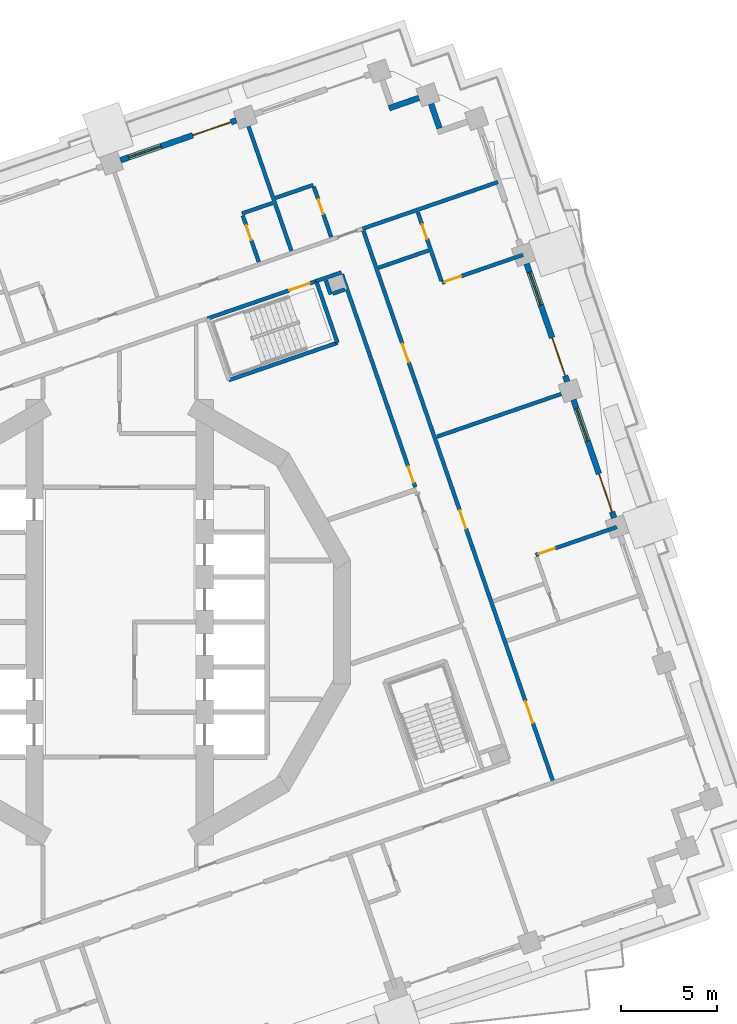
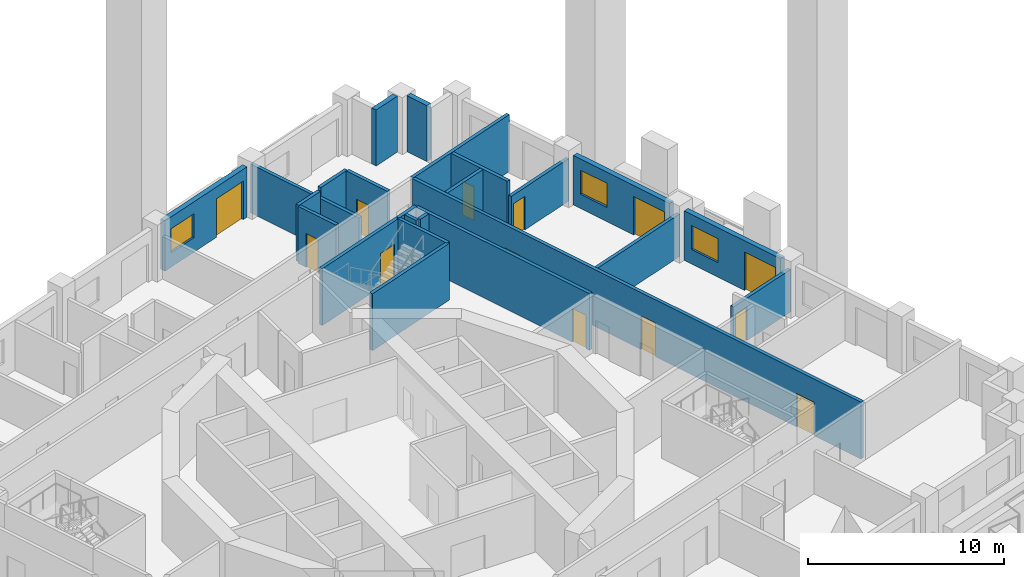
# One storey, part 8 of 18: 24 walls, 13 doors, 3 windows, 16 openings.
"""IFC4 building model written with IfcOpenShell, lengths in metres."""

from ifc_helpers import new_model, si_unit, direction, frame, frame_2d, origin, place, context, subcontext, project, spatial, rectangle, extrude, material, layer, layer_set, type_object, element, fill, save


model = new_model("IFC4")

# Units and contexts
model_context = context("Model", 3, precision=1e-05, world=origin(), true_north=direction((0.0, 1.0)))
body_context = subcontext(model_context, "Body", "Model", "MODEL_VIEW")
ifc_project = project(units=[si_unit("LENGTHUNIT", "METRE"), si_unit("AREAUNIT", "SQUARE_METRE"), si_unit("VOLUMEUNIT", "CUBIC_METRE"), si_unit("PLANEANGLEUNIT", "RADIAN"), si_unit("MASSUNIT", "GRAM", prefix="KILO")], contexts=[model_context])

# Site, building, storey
site_placement = place(None, origin())
site = spatial("IfcSite", under=ifc_project, at=site_placement, CompositionType="ELEMENT")
building_placement = place(site_placement, origin())
building = spatial("IfcBuilding", under=site, at=building_placement, Name="Cantera Rosa Tower", CompositionType="ELEMENT")
storey_placement = place(building_placement, frame((0.0, 0.0, 100.300048828125)))
storey = spatial("IfcBuildingStorey", under=building, at=storey_placement, Name="L19", CompositionType="ELEMENT", Elevation=100.300048828125)

# Wall
ifc_material_1 = material(Name="Gypsum board partition")
ifc_layer_1 = layer(ifc_material_1, 0.199951171875)
ifc_layer_set_1 = layer_set([ifc_layer_1], Name="CORRIDOR WALL 200 H3550")
wall_type_1 = type_object("IfcWallType", Name="CORRIDOR WALL 200 H3550", PredefinedType="PARTITIONING", material=ifc_layer_set_1)
wall_1_placement = place(storey_placement, frame((11.583984375, 18.2666015625, 0.0), z_axis=(0.0, 0.0, 1.0), x_axis=(-0.945503834334, -0.325610963052, 0.0)))
element("IfcWall", 1, at=wall_1_placement, inside=storey, type_object=wall_type_1, Name="CORRIDOR WALL L19-085", PredefinedType="PARTITIONING", context=body_context, shape_type="SweptSolid", body=[
    extrude(rectangle(XDim=1.38720703125, YDim=0.199951171875, at=frame_2d((0.693603515625, 0.0))), origin(), (0.0, 0.0, 1.0), 3.550048828125),
])

# Wall, opening, door
wall_2_placement = place(storey_placement, frame((15.4453125, 7.052734375, 0.0), z_axis=(0.0, 0.0, 1.0), x_axis=(-0.325560709279, 0.945521139147, 0.0)))
wall_2 = element("IfcWall", 2, at=wall_2_placement, inside=storey, type_object=wall_type_1, Name="CORRIDOR WALL L19-094", PredefinedType="PARTITIONING", context=body_context, shape_type="SweptSolid", body=[
    extrude(rectangle(XDim=11.760009765625, YDim=0.199951171875, at=frame_2d((5.8798828125, 0.0))), origin(), (0.0, 0.0, 1.0), 3.550048828125),
])
opening_1_placement = place(wall_2_placement, frame((0.242431640625, 0.0, 0.0)))
opening_1 = element("IfcOpeningElement", 3, at=opening_1_placement, cuts=wall_2, Name="Opening L19-004", PredefinedType="OPENING", context=body_context, shape_type="SweptSolid", body=[
    extrude(rectangle(XDim=0.89990234375, YDim=2.10009765625, at=frame_2d((0.449951171875, 1.050048828125))), frame((0.0, 0.10986328125, 0.0), z_axis=(0.0, -1.0, 0.0), x_axis=(1.0, 0.0, 0.0)), (0.0, 0.0, 1.0), 0.219970703125),
])
ifc_material_2 = material(Name="Timber door leaf", Category="wood")
door_type_1 = type_object("IfcDoorType", Name="SERVICE DOOR 900x2100", OperationType="NOTDEFINED", PredefinedType="DOOR", material=ifc_material_2)
door_1_placement = place(opening_1_placement, origin())
door_1 = element("IfcDoor", 4, at=door_1_placement, inside=storey, type_object=door_type_1, Name="DOOR L19-004", OperationType="NOTDEFINED", OverallHeight=2.10009765625, OverallWidth=0.89990234375, PredefinedType="DOOR", context=body_context, shape_type="SweptSolid", body=[
    extrude(rectangle(XDim=0.89990234375, YDim=2.10009765625, at=frame_2d((0.449951171875, 1.050048828125))), frame((0.0, 0.02490234375, 0.0), z_axis=(0.0, -1.0, 0.0), x_axis=(1.0, 0.0, 0.0)), (0.0, 0.0, 1.0), 0.050048828125),
])
fill(opening_1, door_1)

# Wall, openings, doors
wall_3_placement = place(storey_placement, frame((22.623291015625, -8.264892578125, 0.0), z_axis=(0.0, 0.0, 1.0), x_axis=(-0.325567861352, 0.945518676524, 0.0)))
wall_3 = element("IfcWall", 5, at=wall_3_placement, inside=storey, type_object=wall_type_1, Name="CORRIDOR WALL L19-110", PredefinedType="PARTITIONING", context=body_context, shape_type="SweptSolid", body=[
    extrude(rectangle(XDim=30.360107421875, YDim=0.199951171875, at=frame_2d((15.18017578125, 0.0))), origin(), (0.0, 0.0, 1.0), 3.550048828125),
])
opening_2_placement = place(wall_3_placement, frame((3.169921875, 0.0, 0.0)))
opening_2 = element("IfcOpeningElement", 6, at=opening_2_placement, cuts=wall_3, Name="Opening L19-017", PredefinedType="OPENING", context=body_context, shape_type="SweptSolid", body=[
    extrude(rectangle(XDim=1.199951171875, YDim=2.10009765625, at=frame_2d((0.60009765625, 1.050048828125))), frame((0.0, 0.10986328125, 0.0), z_axis=(0.0, -1.0, 0.0), x_axis=(1.0, 0.0, 0.0)), (0.0, 0.0, 1.0), 0.219970703125),
])
opening_3_placement = place(wall_3_placement, frame((13.89990234375, 0.0, 0.0)))
opening_3 = element("IfcOpeningElement", 7, at=opening_3_placement, cuts=wall_3, Name="Opening L19-018", PredefinedType="OPENING", context=body_context, shape_type="SweptSolid", body=[
    extrude(rectangle(XDim=1.0, YDim=2.10009765625, at=frame_2d((0.5, 1.050048828125))), frame((0.0, 0.10986328125, 0.0), z_axis=(0.0, -1.0, 0.0), x_axis=(1.0, 0.0, 0.0)), (0.0, 0.0, 1.0), 0.219970703125),
])
opening_4_placement = place(wall_3_placement, frame((23.110107421875, 0.0, 0.0)))
opening_4 = element("IfcOpeningElement", 8, at=opening_4_placement, cuts=wall_3, Name="Opening L19-021", PredefinedType="OPENING", context=body_context, shape_type="SweptSolid", body=[
    extrude(rectangle(XDim=1.0, YDim=2.10009765625, at=frame_2d((0.5, 1.050048828125))), frame((0.0, 0.10986328125, 0.0), z_axis=(0.0, -1.0, 0.0), x_axis=(1.0, 0.0, 0.0)), (0.0, 0.0, 1.0), 0.219970703125),
])
ifc_material_3 = material(Name="Timber door leaf", Category="wood")
door_type_2 = type_object("IfcDoorType", Name="ENTRANCE DOOR 1000x2100", OperationType="NOTDEFINED", PredefinedType="DOOR", material=ifc_material_3)
door_2_placement = place(opening_3_placement, origin())
door_2 = element("IfcDoor", 9, at=door_2_placement, inside=storey, type_object=door_type_2, Name="DOOR L19-018", OperationType="NOTDEFINED", OverallHeight=2.10009765625, OverallWidth=1.0, PredefinedType="DOOR", context=body_context, shape_type="SweptSolid", body=[
    extrude(rectangle(XDim=1.0, YDim=2.10009765625, at=frame_2d((0.5, 1.050048828125))), frame((0.0, 0.02490234375, 0.0), z_axis=(0.0, -1.0, 0.0), x_axis=(1.0, 0.0, 0.0)), (0.0, 0.0, 1.0), 0.050048828125),
])
fill(opening_3, door_2)
door_3_placement = place(opening_4_placement, origin())
door_3 = element("IfcDoor", 10, at=door_3_placement, inside=storey, type_object=door_type_2, Name="DOOR L19-021", OperationType="NOTDEFINED", OverallHeight=2.10009765625, OverallWidth=1.0, PredefinedType="DOOR", context=body_context, shape_type="SweptSolid", body=[
    extrude(rectangle(XDim=1.0, YDim=2.10009765625, at=frame_2d((0.5, 1.050048828125))), frame((0.0, 0.02490234375, 0.0), z_axis=(0.0, -1.0, 0.0), x_axis=(1.0, 0.0, 0.0)), (0.0, 0.0, 1.0), 0.050048828125),
])
fill(opening_4, door_3)
ifc_material_4 = material(Name="Timber door leaf", Category="wood")
door_type_3 = type_object("IfcDoorType", Name="ROOM DOOR 1200x2100", OperationType="NOTDEFINED", PredefinedType="DOOR", material=ifc_material_4)
door_4_placement = place(opening_2_placement, origin())
door_4 = element("IfcDoor", 11, at=door_4_placement, inside=storey, type_object=door_type_3, Name="DOOR L19-017", OperationType="NOTDEFINED", OverallHeight=2.10009765625, OverallWidth=1.199951171875, PredefinedType="DOOR", context=body_context, shape_type="SweptSolid", body=[
    extrude(rectangle(XDim=1.199951171875, YDim=2.10009765625, at=frame_2d((0.60009765625, 1.050048828125))), frame((0.0, 0.02490234375, 0.0), z_axis=(0.0, -1.0, 0.0), x_axis=(1.0, 0.0, 0.0)), (0.0, 0.0, 1.0), 0.050048828125),
])
fill(opening_2, door_4)

# Walls
ifc_material_5 = material(Name="Hollow clay masonry with cantera stone cladding", Category="masonry")
ifc_layer_2 = layer(ifc_material_5, 0.300048828125)
ifc_layer_set_2 = layer_set([ifc_layer_2], Name="EW-LOGGIA 300")
wall_type_2 = type_object("IfcWallType", Name="EW-LOGGIA 300", PredefinedType="SOLIDWALL", material=ifc_layer_set_2)
wall_4_placement = place(storey_placement, frame((16.7119140625, 25.79638671875, 0.0), z_axis=(0.0, 0.0, 1.0), x_axis=(-0.325544748006, 0.945526634763, 0.0)))
element("IfcWall", 12, at=wall_4_placement, inside=storey, type_object=wall_type_2, Name="EN-L19-W06b", PredefinedType="SOLIDWALL", context=body_context, shape_type="SweptSolid", body=[
    extrude(rectangle(XDim=1.349853515625, YDim=0.300048828125, at=frame_2d((0.6748046875, 0.0))), origin(), (0.0, 0.0, 1.0), 3.5),
])
wall_5_placement = place(storey_placement, frame((15.636962890625, 27.3828125, 0.0), z_axis=(0.0, 0.0, 1.0), x_axis=(-0.945484566827, -0.325666906351, 0.0)))
element("IfcWall", 13, at=wall_5_placement, inside=storey, type_object=wall_type_2, Name="EN-L19-W07a", PredefinedType="SOLIDWALL", context=body_context, shape_type="SweptSolid", body=[
    extrude(rectangle(XDim=1.64990234375, YDim=0.300048828125, at=frame_2d((0.824951171875, 0.0))), origin(), (0.0, 0.0, 1.0), 3.5),
])

# Wall, openings, window, door
ifc_material_6 = material(Name="Hollow clay masonry with cantera stone cladding", Category="masonry")
ifc_layer_3 = layer(ifc_material_6, 0.300048828125)
ifc_layer_set_3 = layer_set([ifc_layer_3], Name="EW-LOGGIA 300 H3090")
wall_type_3 = type_object("IfcWallType", Name="EW-LOGGIA 300 H3090", PredefinedType="SOLIDWALL", material=ifc_layer_set_3)
wall_6_placement = place(storey_placement, frame((25.833984375, 5.447509765625, 0.0), z_axis=(0.0, 0.0, 1.0), x_axis=(-0.325580990241, 0.945514155787, 0.0)))
wall_6 = element("IfcWall", 14, at=wall_6_placement, inside=storey, type_object=wall_type_3, Name="EN-L19-W03", PredefinedType="SOLIDWALL", context=body_context, shape_type="SweptSolid", body=[
    extrude(rectangle(XDim=6.52001953125, YDim=0.300048828125, at=frame_2d((3.260009765625, 0.0))), origin(), (0.0, 0.0, 1.0), 3.08984375),
])
opening_5_placement = place(wall_6_placement, frame((0.330078125, 0.0, 0.0)))
opening_5 = element("IfcOpeningElement", 15, at=opening_5_placement, cuts=wall_6, Name="Opening L19-TD05", PredefinedType="OPENING", context=body_context, shape_type="SweptSolid", body=[
    extrude(rectangle(XDim=2.10009765625, YDim=2.39990234375, at=frame_2d((1.050048828125, 1.199951171875))), frame((0.0, 0.159912109375, 0.0), z_axis=(0.0, -1.0, 0.0), x_axis=(1.0, 0.0, 0.0)), (0.0, 0.0, 1.0), 0.320068359375),
])
opening_6_placement = place(wall_6_placement, frame((4.239990234375, 0.0, 0.89990234375)))
opening_6 = element("IfcOpeningElement", 16, at=opening_6_placement, cuts=wall_6, Name="Opening L19-W06", PredefinedType="OPENING", context=body_context, shape_type="SweptSolid", body=[
    extrude(rectangle(XDim=1.800048828125, YDim=1.5, at=frame_2d((0.89990234375, 0.75))), frame((0.0, 0.159912109375, 0.0), z_axis=(0.0, -1.0, 0.0), x_axis=(1.0, 0.0, 0.0)), (0.0, 0.0, 1.0), 0.320068359375),
])
ifc_material_7 = material(Name="Aluminium frame with clear glass", Category="aluminium")
window_type = type_object("IfcWindowType", Name="Hotel room window 1800x1500", PartitioningType="DOUBLE_PANEL_VERTICAL", PredefinedType="WINDOW", material=ifc_material_7)
window_1_placement = place(opening_6_placement, origin())
window_1 = element("IfcWindow", 17, at=window_1_placement, inside=storey, type_object=window_type, Name="WINDOW L19-W06", OverallHeight=1.5, OverallWidth=1.800048828125, PartitioningType="SINGLE_PANEL", PredefinedType="WINDOW", context=body_context, shape_type="SweptSolid", body=[
    extrude(rectangle(XDim=1.800048828125, YDim=1.5, at=frame_2d((0.89990234375, 0.75))), frame((0.0, 0.030029296875, 0.0), z_axis=(0.0, -1.0, 0.0), x_axis=(1.0, 0.0, 0.0)), (0.0, 0.0, 1.0), 0.06005859375),
])
fill(opening_6, window_1)
ifc_material_8 = material(Name="Aluminium frame with clear glass", Category="aluminium")
door_type_4 = type_object("IfcDoorType", Name="TD-H 2100x2400", OperationType="NOTDEFINED", PredefinedType="DOOR", material=ifc_material_8)
door_5_placement = place(opening_5_placement, origin())
door_5 = element("IfcDoor", 18, at=door_5_placement, inside=storey, type_object=door_type_4, Name="LOGGIA DOOR L19-TD05", OperationType="SLIDING_TO_LEFT", OverallHeight=2.39990234375, OverallWidth=2.10009765625, PredefinedType="DOOR", context=body_context, shape_type="SweptSolid", body=[
    extrude(rectangle(XDim=2.10009765625, YDim=2.39990234375, at=frame_2d((1.050048828125, 1.199951171875))), frame((0.0, 0.02490234375, 0.0), z_axis=(0.0, -1.0, 0.0), x_axis=(1.0, 0.0, 0.0)), (0.0, 0.0, 1.0), 0.050048828125),
])
fill(opening_5, door_5)

wall_7_placement = place(storey_placement, frame((23.3857421875, 12.557861328125, 0.0), z_axis=(0.0, 0.0, 1.0), x_axis=(-0.325580990241, 0.945514155787, 0.0)))
wall_7 = element("IfcWall", 19, at=wall_7_placement, inside=storey, type_object=wall_type_3, Name="EN-L19-W04", PredefinedType="SOLIDWALL", context=body_context, shape_type="SweptSolid", body=[
    extrude(rectangle(XDim=6.52001953125, YDim=0.300048828125, at=frame_2d((3.260009765625, 0.0))), origin(), (0.0, 0.0, 1.0), 3.08984375),
])
opening_7_placement = place(wall_7_placement, frame((0.330078125, 0.0, 0.0)))
opening_7 = element("IfcOpeningElement", 20, at=opening_7_placement, cuts=wall_7, Name="Opening L19-TD07", PredefinedType="OPENING", context=body_context, shape_type="SweptSolid", body=[
    extrude(rectangle(XDim=2.10009765625, YDim=2.39990234375, at=frame_2d((1.050048828125, 1.199951171875))), frame((0.0, 0.159912109375, 0.0), z_axis=(0.0, -1.0, 0.0), x_axis=(1.0, 0.0, 0.0)), (0.0, 0.0, 1.0), 0.320068359375),
])
opening_8_placement = place(wall_7_placement, frame((4.239990234375, 0.0, 0.89990234375)))
opening_8 = element("IfcOpeningElement", 21, at=opening_8_placement, cuts=wall_7, Name="Opening L19-W08", PredefinedType="OPENING", context=body_context, shape_type="SweptSolid", body=[
    extrude(rectangle(XDim=1.800048828125, YDim=1.5, at=frame_2d((0.89990234375, 0.75))), frame((0.0, 0.159912109375, 0.0), z_axis=(0.0, -1.0, 0.0), x_axis=(1.0, 0.0, 0.0)), (0.0, 0.0, 1.0), 0.320068359375),
])
window_2_placement = place(opening_8_placement, origin())
window_2 = element("IfcWindow", 22, at=window_2_placement, inside=storey, type_object=window_type, Name="WINDOW L19-W08", OverallHeight=1.5, OverallWidth=1.800048828125, PartitioningType="SINGLE_PANEL", PredefinedType="WINDOW", context=body_context, shape_type="SweptSolid", body=[
    extrude(rectangle(XDim=1.800048828125, YDim=1.5, at=frame_2d((0.89990234375, 0.75))), frame((0.0, 0.030029296875, 0.0), z_axis=(0.0, -1.0, 0.0), x_axis=(1.0, 0.0, 0.0)), (0.0, 0.0, 1.0), 0.06005859375),
])
fill(opening_8, window_2)
door_6_placement = place(opening_7_placement, origin())
door_6 = element("IfcDoor", 23, at=door_6_placement, inside=storey, type_object=door_type_4, Name="LOGGIA DOOR L19-TD07", OperationType="SLIDING_TO_LEFT", OverallHeight=2.39990234375, OverallWidth=2.10009765625, PredefinedType="DOOR", context=body_context, shape_type="SweptSolid", body=[
    extrude(rectangle(XDim=2.10009765625, YDim=2.39990234375, at=frame_2d((1.050048828125, 1.199951171875))), frame((0.0, 0.02490234375, 0.0), z_axis=(0.0, -1.0, 0.0), x_axis=(1.0, 0.0, 0.0)), (0.0, 0.0, 1.0), 0.050048828125),
])
fill(opening_7, door_6)

ifc_material_9 = material(Name="Hollow clay masonry with cantera stone cladding", Category="masonry")
ifc_layer_4 = layer(ifc_material_9, 0.300048828125)
ifc_layer_set_4 = layer_set([ifc_layer_4], Name="EW-LOGGIA 300 H3140")
wall_type_4 = type_object("IfcWallType", Name="EW-LOGGIA 300 H3140", PredefinedType="SOLIDWALL", material=ifc_layer_set_4)
wall_8_placement = place(storey_placement, frame((6.097900390625, 26.21337890625, 0.0), z_axis=(0.0, 0.0, 1.0), x_axis=(-0.945524496524, -0.325550958337, 0.0)))
wall_8 = element("IfcWall", 24, at=wall_8_placement, inside=storey, type_object=wall_type_4, Name="EN-L19-W09", PredefinedType="SOLIDWALL", context=body_context, shape_type="SweptSolid", body=[
    extrude(rectangle(XDim=6.39990234375, YDim=0.300048828125, at=frame_2d((3.199951171875, 0.0))), origin(), (0.0, 0.0, 1.0), 3.139892578125),
])
opening_9_placement = place(wall_8_placement, frame((0.300048828125, 0.0, 0.0)))
opening_9 = element("IfcOpeningElement", 25, at=opening_9_placement, cuts=wall_8, Name="Opening L19-TD13", PredefinedType="OPENING", context=body_context, shape_type="SweptSolid", body=[
    extrude(rectangle(XDim=2.10009765625, YDim=2.39990234375, at=frame_2d((1.050048828125, 1.199951171875))), frame((0.0, 0.159912109375, 0.0), z_axis=(0.0, -1.0, 0.0), x_axis=(1.0, 0.0, 0.0)), (0.0, 0.0, 1.0), 0.320068359375),
])
opening_10_placement = place(wall_8_placement, frame((4.14990234375, 0.0, 0.89990234375)))
opening_10 = element("IfcOpeningElement", 26, at=opening_10_placement, cuts=wall_8, Name="Opening L19-W14", PredefinedType="OPENING", context=body_context, shape_type="SweptSolid", body=[
    extrude(rectangle(XDim=1.800048828125, YDim=1.5, at=frame_2d((0.89990234375, 0.75))), frame((0.0, 0.159912109375, 0.0), z_axis=(0.0, -1.0, 0.0), x_axis=(1.0, 0.0, 0.0)), (0.0, 0.0, 1.0), 0.320068359375),
])
window_3_placement = place(opening_10_placement, origin())
window_3 = element("IfcWindow", 27, at=window_3_placement, inside=storey, type_object=window_type, Name="WINDOW L19-W14", OverallHeight=1.5, OverallWidth=1.800048828125, PartitioningType="SINGLE_PANEL", PredefinedType="WINDOW", context=body_context, shape_type="SweptSolid", body=[
    extrude(rectangle(XDim=1.800048828125, YDim=1.5, at=frame_2d((0.89990234375, 0.75))), frame((0.0, 0.030029296875, 0.0), z_axis=(0.0, -1.0, 0.0), x_axis=(1.0, 0.0, 0.0)), (0.0, 0.0, 1.0), 0.06005859375),
])
fill(opening_10, window_3)
door_7_placement = place(opening_9_placement, origin())
door_7 = element("IfcDoor", 28, at=door_7_placement, inside=storey, type_object=door_type_4, Name="LOGGIA DOOR L19-TD13", OperationType="SLIDING_TO_LEFT", OverallHeight=2.39990234375, OverallWidth=2.10009765625, PredefinedType="DOOR", context=body_context, shape_type="SweptSolid", body=[
    extrude(rectangle(XDim=2.10009765625, YDim=2.39990234375, at=frame_2d((1.050048828125, 1.199951171875))), frame((0.0, 0.02490234375, 0.0), z_axis=(0.0, -1.0, 0.0), x_axis=(1.0, 0.0, 0.0)), (0.0, 0.0, 1.0), 0.050048828125),
])
fill(opening_9, door_7)

# Wall, opening, door
ifc_material_10 = material(Name="Gypsum board partition")
ifc_layer_5 = layer(ifc_material_10, 0.199951171875)
ifc_layer_set_5 = layer_set([ifc_layer_5], Name="PARTITION 200 H2650")
wall_type_5 = type_object("IfcWallType", Name="PARTITION 200 H2650", PredefinedType="PARTITIONING", material=ifc_layer_set_5)
wall_9_placement = place(storey_placement, frame((21.07177734375, 19.185546875, 0.0), z_axis=(0.0, 0.0, 1.0), x_axis=(-0.945518569568, -0.325568171973, 0.0)))
wall_9 = element("IfcWall", 29, at=wall_9_placement, inside=storey, type_object=wall_type_5, Name="PARTITION L19-108", PredefinedType="PARTITIONING", context=body_context, shape_type="SweptSolid", body=[
    extrude(rectangle(XDim=4.47021484375, YDim=0.199951171875, at=frame_2d((2.235107421875, 0.0))), origin(), (0.0, 0.0, 1.0), 2.64990234375),
])
opening_11_placement = place(wall_9_placement, frame((3.419921875, 0.0, 0.0)))
opening_11 = element("IfcOpeningElement", 30, at=opening_11_placement, cuts=wall_9, Name="Opening L19-022", PredefinedType="OPENING", context=body_context, shape_type="SweptSolid", body=[
    extrude(rectangle(XDim=0.89990234375, YDim=2.10009765625, at=frame_2d((0.449951171875, 1.050048828125))), frame((0.0, 0.10986328125, 0.0), z_axis=(0.0, -1.0, 0.0), x_axis=(1.0, 0.0, 0.0)), (0.0, 0.0, 1.0), 0.219970703125),
])
ifc_material_11 = material(Name="Timber door leaf", Category="wood")
door_type_5 = type_object("IfcDoorType", Name="ROOM DOOR 900x2100", OperationType="NOTDEFINED", PredefinedType="DOOR", material=ifc_material_11)
door_8_placement = place(opening_11_placement, origin())
door_8 = element("IfcDoor", 31, at=door_8_placement, inside=storey, type_object=door_type_5, Name="DOOR L19-022", OperationType="NOTDEFINED", OverallHeight=2.10009765625, OverallWidth=0.89990234375, PredefinedType="DOOR", context=body_context, shape_type="SweptSolid", body=[
    extrude(rectangle(XDim=0.89990234375, YDim=2.10009765625, at=frame_2d((0.449951171875, 1.050048828125))), frame((0.0, 0.02490234375, 0.0), z_axis=(0.0, -1.0, 0.0), x_axis=(1.0, 0.0, 0.0)), (0.0, 0.0, 1.0), 0.050048828125),
])
fill(opening_11, door_8)

wall_10_placement = place(storey_placement, frame((21.741943359375, 3.509765625, 0.0), z_axis=(0.0, 0.0, 1.0), x_axis=(0.945518569568, 0.325568171973, 0.0)))
wall_10 = element("IfcWall", 32, at=wall_10_placement, inside=storey, type_object=wall_type_5, Name="PARTITION L19-109", PredefinedType="PARTITIONING", context=body_context, shape_type="SweptSolid", body=[
    extrude(rectangle(XDim=4.47021484375, YDim=0.199951171875, at=frame_2d((2.235107421875, 0.0))), origin(), (0.0, 0.0, 1.0), 2.64990234375),
])
opening_12_placement = place(wall_10_placement, frame((0.14990234375, 0.0, 0.0)))
opening_12 = element("IfcOpeningElement", 33, at=opening_12_placement, cuts=wall_10, Name="Opening L19-019", PredefinedType="OPENING", context=body_context, shape_type="SweptSolid", body=[
    extrude(rectangle(XDim=0.89990234375, YDim=2.10009765625, at=frame_2d((0.449951171875, 1.050048828125))), frame((0.0, 0.10986328125, 0.0), z_axis=(0.0, -1.0, 0.0), x_axis=(1.0, 0.0, 0.0)), (0.0, 0.0, 1.0), 0.219970703125),
])
door_9_placement = place(opening_12_placement, origin())
door_9 = element("IfcDoor", 34, at=door_9_placement, inside=storey, type_object=door_type_5, Name="DOOR L19-019", OperationType="NOTDEFINED", OverallHeight=2.10009765625, OverallWidth=0.89990234375, PredefinedType="DOOR", context=body_context, shape_type="SweptSolid", body=[
    extrude(rectangle(XDim=0.89990234375, YDim=2.10009765625, at=frame_2d((0.449951171875, 1.050048828125))), frame((0.0, 0.02490234375, 0.0), z_axis=(0.0, -1.0, 0.0), x_axis=(1.0, 0.0, 0.0)), (0.0, 0.0, 1.0), 0.050048828125),
])
fill(opening_12, door_9)

# Wall
ifc_material_12 = material(Name="Gypsum board partition")
ifc_layer_6 = layer(ifc_material_12, 0.199951171875)
ifc_layer_set_6 = layer_set([ifc_layer_6], Name="PARTITION 200 H3550")
wall_type_6 = type_object("IfcWallType", Name="PARTITION 200 H3550", PredefinedType="PARTITIONING", material=ifc_layer_set_6)
wall_11_placement = place(storey_placement, frame((6.39892578125, 21.34619140625, 0.0), z_axis=(0.0, 0.0, 1.0), x_axis=(0.945482578037, 0.3256726802, 0.0)))
element("IfcWall", 35, at=wall_11_placement, inside=storey, type_object=wall_type_6, Name="PARTITION L19-070", PredefinedType="PARTITIONING", context=body_context, shape_type="SweptSolid", body=[
    extrude(rectangle(XDim=1.679931640625, YDim=0.199951171875, at=frame_2d((0.83984375, 0.0))), origin(), (0.0, 0.0, 1.0), 3.550048828125),
])

# Wall, opening, door
wall_12_placement = place(storey_placement, frame((7.271484375, 18.812255859375, 0.0), z_axis=(0.0, 0.0, 1.0), x_axis=(-0.325567448058, 0.945518818832, 0.0)))
wall_12 = element("IfcWall", 36, at=wall_12_placement, inside=storey, type_object=wall_type_6, Name="PARTITION L19-072", PredefinedType="PARTITIONING", context=body_context, shape_type="SweptSolid", body=[
    extrude(rectangle(XDim=2.56005859375, YDim=0.199951171875, at=frame_2d((1.280029296875, 0.0))), origin(), (0.0, 0.0, 1.0), 3.550048828125),
])
opening_13_placement = place(wall_12_placement, frame((1.216064453125, 0.0, 0.0)))
opening_13 = element("IfcOpeningElement", 37, at=opening_13_placement, cuts=wall_12, Name="Opening L19-025", PredefinedType="OPENING", context=body_context, shape_type="SweptSolid", body=[
    extrude(rectangle(XDim=0.800048828125, YDim=2.10009765625, at=frame_2d((0.39990234375, 1.050048828125))), frame((0.0, 0.10986328125, 0.0), z_axis=(0.0, -1.0, 0.0), x_axis=(1.0, 0.0, 0.0)), (0.0, 0.0, 1.0), 0.219970703125),
])
ifc_material_13 = material(Name="Timber door leaf", Category="wood")
door_type_6 = type_object("IfcDoorType", Name="BATHROOM DOOR 800x2100", OperationType="NOTDEFINED", PredefinedType="DOOR", material=ifc_material_13)
door_10_placement = place(opening_13_placement, origin())
door_10 = element("IfcDoor", 38, at=door_10_placement, inside=storey, type_object=door_type_6, Name="DOOR L19-025", OperationType="NOTDEFINED", OverallHeight=2.10009765625, OverallWidth=0.800048828125, PredefinedType="DOOR", context=body_context, shape_type="SweptSolid", body=[
    extrude(rectangle(XDim=0.800048828125, YDim=2.10009765625, at=frame_2d((0.39990234375, 1.050048828125))), frame((0.0, 0.02490234375, 0.0), z_axis=(0.0, -1.0, 0.0), x_axis=(1.0, 0.0, 0.0)), (0.0, 0.0, 1.0), 0.050048828125),
])
fill(opening_13, door_10)

# Wall
wall_13_placement = place(storey_placement, frame((8.149169921875, 22.160400390625, 0.0), z_axis=(0.0, 0.0, 1.0), x_axis=(0.94551508012, 0.32557830589, 0.0)))
element("IfcWall", 39, at=wall_13_placement, inside=storey, type_object=wall_type_6, Name="PARTITION L19-080", PredefinedType="PARTITIONING", context=body_context, shape_type="SweptSolid", body=[
    extrude(rectangle(XDim=2.080078125, YDim=0.199951171875, at=frame_2d((1.0400390625, 0.0))), origin(), (0.0, 0.0, 1.0), 3.550048828125),
])

# Wall, opening, door
wall_14_placement = place(storey_placement, frame((10.1484375, 22.7431640625, 0.0), z_axis=(0.0, 0.0, 1.0), x_axis=(0.325617188453, -0.945501690418, 0.0)))
wall_14 = element("IfcWall", 40, at=wall_14_placement, inside=storey, type_object=wall_type_6, Name="PARTITION L19-081", PredefinedType="PARTITIONING", context=body_context, shape_type="SweptSolid", body=[
    extrude(rectangle(XDim=2.7802734375, YDim=0.199951171875, at=frame_2d((1.39013671875, 0.0))), origin(), (0.0, 0.0, 1.0), 3.550048828125),
])
opening_14_placement = place(wall_14_placement, frame((0.699951171875, 0.0, 0.0)))
opening_14 = element("IfcOpeningElement", 41, at=opening_14_placement, cuts=wall_14, Name="Opening L19-034", PredefinedType="OPENING", context=body_context, shape_type="SweptSolid", body=[
    extrude(rectangle(XDim=0.800048828125, YDim=2.10009765625, at=frame_2d((0.39990234375, 1.050048828125))), frame((0.0, 0.10986328125, 0.0), z_axis=(0.0, -1.0, 0.0), x_axis=(1.0, 0.0, 0.0)), (0.0, 0.0, 1.0), 0.219970703125),
])
door_11_placement = place(opening_14_placement, origin())
door_11 = element("IfcDoor", 42, at=door_11_placement, inside=storey, type_object=door_type_6, Name="DOOR L19-034", OperationType="NOTDEFINED", OverallHeight=2.10009765625, OverallWidth=0.800048828125, PredefinedType="DOOR", context=body_context, shape_type="SweptSolid", body=[
    extrude(rectangle(XDim=0.800048828125, YDim=2.10009765625, at=frame_2d((0.39990234375, 1.050048828125))), frame((0.0, 0.02490234375, 0.0), z_axis=(0.0, -1.0, 0.0), x_axis=(1.0, 0.0, 0.0)), (0.0, 0.0, 1.0), 0.050048828125),
])
fill(opening_14, door_11)

# Walls
wall_15_placement = place(storey_placement, frame((10.772216796875, 17.860107421875, 0.0), z_axis=(0.0, 0.0, 1.0), x_axis=(0.325508352099, -0.945539165087, 0.0)))
element("IfcWall", 43, at=wall_15_placement, inside=storey, type_object=wall_type_6, Name="PARTITION L19-082", PredefinedType="PARTITIONING", context=body_context, shape_type="SweptSolid", body=[
    extrude(rectangle(XDim=0.780029296875, YDim=0.199951171875, at=frame_2d((0.39013671875, 0.0))), origin(), (0.0, 0.0, 1.0), 3.550048828125),
])
wall_16_placement = place(storey_placement, frame((11.1396484375, 17.16162109375, 0.0), z_axis=(0.0, 0.0, 1.0), x_axis=(0.945416211277, 0.32586529035, 0.0)))
element("IfcWall", 44, at=wall_16_placement, inside=storey, type_object=wall_type_6, Name="PARTITION L19-083", PredefinedType="PARTITIONING", context=body_context, shape_type="SweptSolid", body=[
    extrude(rectangle(XDim=0.66015625, YDim=0.199951171875, at=frame_2d((0.330078125, 0.0))), origin(), (0.0, 0.0, 1.0), 3.550048828125),
])
wall_17_placement = place(storey_placement, frame((16.139404296875, 19.412109375, 0.0), z_axis=(0.0, 0.0, 1.0), x_axis=(-0.945505446379, -0.325606281984, 0.0)))
element("IfcWall", 45, at=wall_17_placement, inside=storey, type_object=wall_type_6, Name="PARTITION L19-096", PredefinedType="PARTITIONING", context=body_context, shape_type="SweptSolid", body=[
    extrude(rectangle(XDim=2.760009765625, YDim=0.199951171875, at=frame_2d((1.3798828125, 0.0))), origin(), (0.0, 0.0, 1.0), 3.550048828125),
])

# Wall, opening, door
wall_18_placement = place(storey_placement, frame((16.812744140625, 17.82470703125, 0.0), z_axis=(0.0, 0.0, 1.0), x_axis=(-0.325541188315, 0.945527860357, 0.0)))
wall_18 = element("IfcWall", 46, at=wall_18_placement, inside=storey, type_object=wall_type_6, Name="PARTITION L19-098", PredefinedType="PARTITIONING", context=body_context, shape_type="SweptSolid", body=[
    extrude(rectangle(XDim=3.800048828125, YDim=0.199951171875, at=frame_2d((1.89990234375, 0.0))), origin(), (0.0, 0.0, 1.0), 3.550048828125),
])
opening_15_placement = place(wall_18_placement, frame((2.31005859375, 0.0, 0.0)))
opening_15 = element("IfcOpeningElement", 47, at=opening_15_placement, cuts=wall_18, Name="Opening L19-023", PredefinedType="OPENING", context=body_context, shape_type="SweptSolid", body=[
    extrude(rectangle(XDim=0.800048828125, YDim=2.10009765625, at=frame_2d((0.39990234375, 1.050048828125))), frame((0.0, 0.10986328125, 0.0), z_axis=(0.0, -1.0, 0.0), x_axis=(1.0, 0.0, 0.0)), (0.0, 0.0, 1.0), 0.219970703125),
])
door_12_placement = place(opening_15_placement, origin())
door_12 = element("IfcDoor", 48, at=door_12_placement, inside=storey, type_object=door_type_6, Name="DOOR L19-023", OperationType="NOTDEFINED", OverallHeight=2.10009765625, OverallWidth=0.800048828125, PredefinedType="DOOR", context=body_context, shape_type="SweptSolid", body=[
    extrude(rectangle(XDim=0.800048828125, YDim=2.10009765625, at=frame_2d((0.39990234375, 1.050048828125))), frame((0.0, 0.02490234375, 0.0), z_axis=(0.0, -1.0, 0.0), x_axis=(1.0, 0.0, 0.0)), (0.0, 0.0, 1.0), 0.050048828125),
])
fill(opening_15, door_12)

# Walls
ifc_material_14 = material(Name="Gypsum board partition")
ifc_layer_7 = layer(ifc_material_14, 0.199951171875)
ifc_layer_set_7 = layer_set([ifc_layer_7], Name="PARTY WALL 200 H2650")
wall_type_7 = type_object("IfcWallType", Name="PARTY WALL 200 H2650", PredefinedType="PARTITIONING", material=ifc_layer_set_7)
wall_19_placement = place(storey_placement, frame((16.570556640625, 9.682373046875, 0.0), z_axis=(0.0, 0.0, 1.0), x_axis=(0.945521494984, 0.325559675824, 0.0)))
element("IfcWall", 49, at=wall_19_placement, inside=storey, type_object=wall_type_7, Name="PARTY WALL L19-097", PredefinedType="PARTITIONING", context=body_context, shape_type="SweptSolid", body=[
    extrude(rectangle(XDim=7.349853515625, YDim=0.199951171875, at=frame_2d((3.6748046875, 0.0))), origin(), (0.0, 0.0, 1.0), 2.64990234375),
])
ifc_material_15 = material(Name="Gypsum board partition")
ifc_layer_8 = layer(ifc_material_15, 0.199951171875)
ifc_layer_set_8 = layer_set([ifc_layer_8], Name="PARTY WALL 200 H3050")
wall_type_8 = type_object("IfcWallType", Name="PARTY WALL 200 H3050", PredefinedType="PARTITIONING", material=ifc_layer_set_8)
wall_20_placement = place(storey_placement, frame((6.58056640625, 26.347900390625, 0.0), z_axis=(0.0, 0.0, 1.0), x_axis=(0.325549451152, -0.945525015457, 0.0)))
element("IfcWall", 50, at=wall_20_placement, inside=storey, type_object=wall_type_8, Name="PARTY WALL L19-071", PredefinedType="PARTITIONING", context=body_context, shape_type="SweptSolid", body=[
    extrude(rectangle(XDim=7.35009765625, YDim=0.199951171875, at=frame_2d((3.675048828125, 0.0))), origin(), (0.0, 0.0, 1.0), 3.050048828125),
])
ifc_material_16 = material(Name="Gypsum board partition")
ifc_layer_9 = layer(ifc_material_16, 0.199951171875)
ifc_layer_set_9 = layer_set([ifc_layer_9], Name="PARTY WALL 200 H3550")
wall_type_9 = type_object("IfcWallType", Name="PARTY WALL 200 H3550", PredefinedType="PARTITIONING", material=ifc_layer_set_9)
wall_21_placement = place(storey_placement, frame((12.699951171875, 20.5546875, 0.0), z_axis=(0.0, 0.0, 1.0), x_axis=(0.945522578269, 0.325556529628, 0.0)))
element("IfcWall", 51, at=wall_21_placement, inside=storey, type_object=wall_type_9, Name="PARTY WALL L19-088", PredefinedType="PARTITIONING", context=body_context, shape_type="SweptSolid", body=[
    extrude(rectangle(XDim=7.469970703125, YDim=0.199951171875, at=frame_2d((3.73486328125, 0.0))), origin(), (0.0, 0.0, 1.0), 3.550048828125),
])

# Wall, opening, door
ifc_material_17 = material(Name="Concrete C50/60", Category="concrete")
ifc_layer_10 = layer(ifc_material_17, 0.199951171875)
ifc_layer_set_10 = layer_set([ifc_layer_10], Name="STAIR WALL 200 H3550")
wall_type_10 = type_object("IfcWallType", Name="STAIR WALL 200 H3550", PredefinedType="SOLIDWALL", material=ifc_layer_set_10)
wall_22_placement = place(storey_placement, frame((4.599365234375, 15.861572265625, 0.0), z_axis=(0.0, 0.0, 1.0), x_axis=(0.945520338581, 0.325563034341, 0.0)))
wall_22 = element("IfcWall", 52, at=wall_22_placement, inside=storey, type_object=wall_type_10, Name="STAIR WALL L19-065", PredefinedType="SOLIDWALL", context=body_context, shape_type="SweptSolid", body=[
    extrude(rectangle(XDim=6.0, YDim=0.199951171875, at=frame_2d((3.0, 0.0))), origin(), (0.0, 0.0, 1.0), 3.550048828125),
])
opening_16_placement = place(wall_22_placement, frame((4.52490234375, 0.0, 0.0)))
opening_16 = element("IfcOpeningElement", 53, at=opening_16_placement, cuts=wall_22, Name="Opening L19-001", PredefinedType="OPENING", context=body_context, shape_type="SweptSolid", body=[
    extrude(rectangle(XDim=1.10009765625, YDim=2.10009765625, at=frame_2d((0.550048828125, 1.050048828125))), frame((0.0, 0.10986328125, 0.0), z_axis=(0.0, -1.0, 0.0), x_axis=(1.0, 0.0, 0.0)), (0.0, 0.0, 1.0), 0.219970703125),
])
ifc_material_18 = material(Name="Steel S355J2 (EN 10025-2)", Category="steel")
door_type_7 = type_object("IfcDoorType", Name="STAIR DOOR 1100x2100", OperationType="NOTDEFINED", PredefinedType="DOOR", material=ifc_material_18)
door_13_placement = place(opening_16_placement, origin())
door_13 = element("IfcDoor", 54, at=door_13_placement, inside=storey, type_object=door_type_7, Name="DOOR L19-001", OperationType="NOTDEFINED", OverallHeight=2.10009765625, OverallWidth=1.10009765625, PredefinedType="DOOR", context=body_context, shape_type="SweptSolid", body=[
    extrude(rectangle(XDim=1.10009765625, YDim=2.10009765625, at=frame_2d((0.550048828125, 1.050048828125))), frame((0.0, 0.02490234375, 0.0), z_axis=(0.0, -1.0, 0.0), x_axis=(1.0, 0.0, 0.0)), (0.0, 0.0, 1.0), 0.050048828125),
])
fill(opening_16, door_13)

# Walls
wall_23_placement = place(storey_placement, frame((5.708740234375, 12.6396484375, 0.0), z_axis=(0.0, 0.0, 1.0), x_axis=(0.945520338581, 0.325563034341, 0.0)))
element("IfcWall", 55, at=wall_23_placement, inside=storey, type_object=wall_type_10, Name="STAIR WALL L19-069", PredefinedType="SOLIDWALL", context=body_context, shape_type="SweptSolid", body=[
    extrude(rectangle(XDim=6.0, YDim=0.199951171875, at=frame_2d((3.0, 0.0))), origin(), (0.0, 0.0, 1.0), 3.550048828125),
])
wall_24_placement = place(storey_placement, frame((11.3818359375, 14.593017578125, 0.0), z_axis=(0.0, 0.0, 1.0), x_axis=(-0.325562292844, 0.945520593894, 0.0)))
element("IfcWall", 56, at=wall_24_placement, inside=storey, type_object=wall_type_10, Name="STAIR WALL L19-084", PredefinedType="SOLIDWALL", context=body_context, shape_type="SweptSolid", body=[
    extrude(rectangle(XDim=3.407470703125, YDim=0.199951171875, at=frame_2d((1.70361328125, 0.0))), origin(), (0.0, 0.0, 1.0), 3.550048828125),
])

save(model, "model.ifc")
